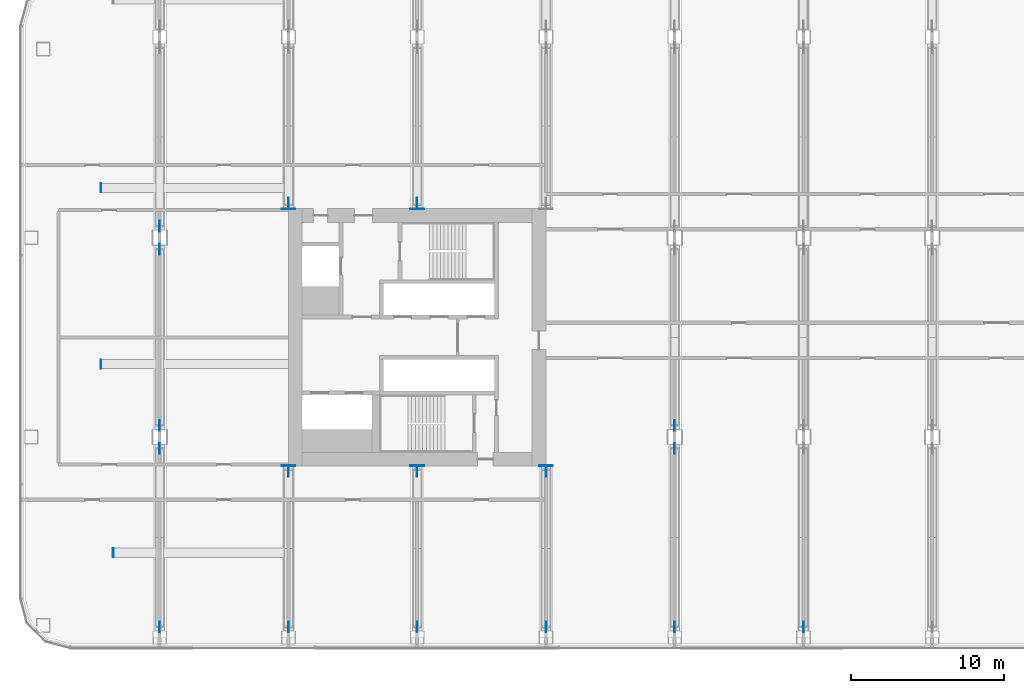
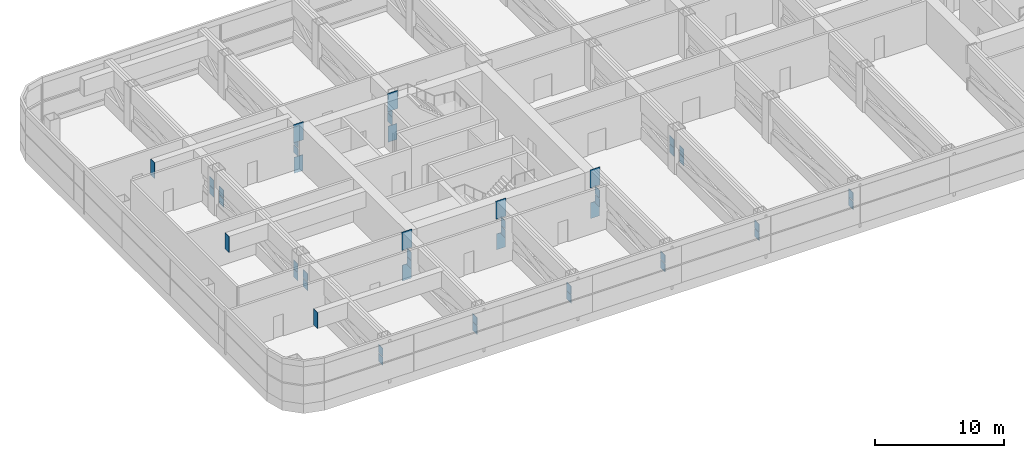
# One storey, part 21 of 30: 47 discrete accessories.
"""IFC4 building model written with IfcOpenShell, lengths in metres."""

from ifc_helpers import new_model, si_unit, direction, frame, origin, origin_2d, place, context, subcontext, project, spatial, rectangle, extrude, material, material_profile, profile_set, type_object, element, save


model = new_model("IFC4")

# Units and contexts
model_context = context("Model", 3, precision=1e-05, world=origin(), true_north=direction((0.0, 1.0)))
body_context = subcontext(model_context, "Body", "Model", "MODEL_VIEW")
ifc_project = project(units=[si_unit("LENGTHUNIT", "METRE"), si_unit("AREAUNIT", "SQUARE_METRE"), si_unit("VOLUMEUNIT", "CUBIC_METRE"), si_unit("PLANEANGLEUNIT", "RADIAN"), si_unit("MASSUNIT", "GRAM", prefix="KILO")], contexts=[model_context])

# Site, building, storey
site_placement = place(None, origin())
site = spatial("IfcSite", under=ifc_project, at=site_placement, CompositionType="ELEMENT")
building_placement = place(site_placement, origin())
building = spatial("IfcBuilding", under=site, at=building_placement, Name="Hakoniwa Tower and Hamabe Station Hall", CompositionType="ELEMENT")
storey_placement = place(building_placement, frame((0.0, 0.0, 64.60009765625)))
storey = spatial("IfcBuildingStorey", under=building, at=storey_placement, Name="L18", CompositionType="ELEMENT", Elevation=64.60009765625)

# Discrete accessories
ifc_material_1 = material(Name="Steel SN490C", Category="steel")
ifc_material_profile_1 = material_profile(ifc_material_1, rectangle(XDim=0.800048828125, YDim=1.5, at=origin_2d()), Name="CAST-IN PLATE BX-1300x600x50")
ifc_profile_set_1 = profile_set([ifc_material_profile_1], Name="Steel SN490C")
discrete_accessory_type_1 = type_object("IfcDiscreteAccessoryType", Name="CAST-IN PLATE BX-1300x600x50", PredefinedType="ANCHORPLATE", material=ifc_profile_set_1)
for number, where, z_axis, x_axis, name in (
    (1, (-33.60009765625, -8.360107421875, 0.349853515625), (0.0, -1.0, 0.0), (1.0, 0.0, 0.0), "Cast-in plate T1-06-BC01"),
    (2, (-33.60009765625, 8.360107421875, 0.349853515625), (0.0, 1.0, 0.0), (-1.0, 0.0, 0.0), "Cast-in plate T1-07-BC01"),
    (3, (-25.199951171875, -8.360107421875, 0.349853515625), (0.0, -1.0, 0.0), (1.0, 0.0, 0.0), "Cast-in plate T1-08-BC01"),
    (4, (-25.199951171875, 8.360107421875, 0.349853515625), (0.0, 1.0, 0.0), (-1.0, 0.0, 0.0), "Cast-in plate T1-09-BC01"),
    (5, (-16.800048828125, -8.360107421875, 0.349853515625), (0.0, -1.0, 0.0), (1.0, 0.0, 0.0), "Cast-in plate T1-10-BC01"),
):
    element("IfcDiscreteAccessory", number, at=place(storey_placement, frame(where, z_axis=z_axis, x_axis=x_axis)), inside=storey, type_object=discrete_accessory_type_1, Name=name, PredefinedType="ANCHORPLATE", context=body_context, shape_type="SweptSolid", body=[
        extrude(rectangle(XDim=0.800048828125, YDim=1.5, at=origin_2d()), origin(), (0.0, 0.0, 1.0), 0.039794921875),
    ])
ifc_material_2 = material(Name="Steel SN490C", Category="steel")
ifc_material_profile_2 = material_profile(ifc_material_2, rectangle(XDim=0.89990234375, YDim=1.699951171875, at=origin_2d()), Name="CAST-IN PLATE BX-1500x700x55")
ifc_profile_set_2 = profile_set([ifc_material_profile_2], Name="Steel SN490C")
discrete_accessory_type_2 = type_object("IfcDiscreteAccessoryType", Name="CAST-IN PLATE BX-1500x700x55", PredefinedType="ANCHORPLATE", material=ifc_profile_set_2)
for number, where, z_axis, x_axis, name in (
    (6, (-33.60009765625, -8.35498046875, 3.349853515625), (0.0, -1.0, 0.0), (1.0, 0.0, 0.0), "Cast-in plate T1-06-TC01"),
    (7, (-33.60009765625, 8.35498046875, 3.349853515625), (0.0, 1.0, 0.0), (-1.0, 0.0, 0.0), "Cast-in plate T1-07-TC01"),
    (8, (-25.199951171875, -8.35498046875, 3.349853515625), (0.0, -1.0, 0.0), (1.0, 0.0, 0.0), "Cast-in plate T1-08-TC01"),
    (9, (-25.199951171875, 8.35498046875, 3.349853515625), (0.0, 1.0, 0.0), (-1.0, 0.0, 0.0), "Cast-in plate T1-09-TC01"),
    (10, (-16.800048828125, -8.35498046875, 3.349853515625), (0.0, -1.0, 0.0), (1.0, 0.0, 0.0), "Cast-in plate T1-10-TC01"),
):
    element("IfcDiscreteAccessory", number, at=place(storey_placement, frame(where, z_axis=z_axis, x_axis=x_axis)), inside=storey, type_object=discrete_accessory_type_2, Name=name, PredefinedType="ANCHORPLATE", context=body_context, shape_type="SweptSolid", body=[
        extrude(rectangle(XDim=0.89990234375, YDim=1.699951171875, at=origin_2d()), origin(), (0.0, 0.0, 1.0), 0.044921875),
    ])
ifc_material_3 = material(Name="Steel SN490C", Category="steel")
ifc_material_profile_3 = material_profile(ifc_material_3, rectangle(XDim=0.60009765625, YDim=1.5, at=origin_2d()), Name="END CAP PLATE BX-1500x600x55")
ifc_profile_set_3 = profile_set([ifc_material_profile_3], Name="Steel SN490C")
discrete_accessory_type_3 = type_object("IfcDiscreteAccessoryType", Name="END CAP PLATE BX-1500x600x55", PredefinedType="USERDEFINED", material=ifc_profile_set_3)
discrete_accessory_placement = place(storey_placement, frame((-45.048095703125, -14.052978515625, 3.349853515625), z_axis=(1.0, 0.0, 0.0), x_axis=(0.0, 1.0, 0.0)))
element("IfcDiscreteAccessory", 11, at=discrete_accessory_placement, inside=storey, type_object=discrete_accessory_type_3, Name="End cap plate L18-XG1", ObjectType="END CAP PLATE", PredefinedType="USERDEFINED", context=body_context, shape_type="SweptSolid", body=[
    extrude(rectangle(XDim=0.60009765625, YDim=1.5, at=origin_2d()), origin(), (0.0, 0.0, 1.0), 0.045166015625),
])
for number, where, z_axis, x_axis, name in (
    (12, (-45.844970703125, -1.75, 3.349853515625), (1.0, 0.0, 0.0), (0.0, 1.0, 0.0), "End cap plate L18-XG3"),
    (13, (-45.844970703125, 9.75, 3.349853515625), (1.0, 0.0, 0.0), (0.0, 1.0, 0.0), "End cap plate L18-XG5"),
):
    element("IfcDiscreteAccessory", number, at=place(storey_placement, frame(where, z_axis=z_axis, x_axis=x_axis)), inside=storey, type_object=discrete_accessory_type_3, Name=name, ObjectType="END CAP PLATE", PredefinedType="USERDEFINED", context=body_context, shape_type="SweptSolid", body=[
        extrude(rectangle(XDim=0.60009765625, YDim=1.5, at=origin_2d()), origin(), (0.0, 0.0, 1.0), 0.044921875),
    ])
ifc_material_4 = material(Name="Steel SN490C", Category="steel")
ifc_material_profile_4 = material_profile(ifc_material_4, rectangle(XDim=0.699951171875, YDim=0.77001953125, at=origin_2d()), Name="GUSSET PLATE BX-700x500x32")
ifc_profile_set_4 = profile_set([ifc_material_profile_4], Name="Steel SN490C")
discrete_accessory_type_4 = type_object("IfcDiscreteAccessoryType", Name="GUSSET PLATE BX-700x500x32", PredefinedType="USERDEFINED", material=ifc_profile_set_4)
for number, where, z_axis, x_axis, name in (
    (14, (-41.985107421875, -18.89990234375, 1.385009765625), (-1.0, 0.0, 0.0), (0.0, -1.0, 0.0), "Gusset plate T1-005-D01A"),
    (15, (-41.985107421875, -7.25, 2.21484375), (-1.0, 0.0, 0.0), (0.0, -1.0, 0.0), "Gusset plate T1-005-D01A"),
    (16, (-41.985107421875, -18.89990234375, 2.21484375), (-1.0, 0.0, 0.0), (0.0, -1.0, 0.0), "Gusset plate T1-005-D01B"),
    (17, (-41.985107421875, -7.25, 1.385009765625), (-1.0, 0.0, 0.0), (0.0, -1.0, 0.0), "Gusset plate T1-005-D01B"),
    (18, (-41.985107421875, -5.75, 1.385009765625), (-1.0, 0.0, 0.0), (0.0, -1.0, 0.0), "Gusset plate T1-005-D02A"),
    (19, (-41.985107421875, 5.75, 2.21484375), (-1.0, 0.0, 0.0), (0.0, -1.0, 0.0), "Gusset plate T1-005-D02A"),
    (20, (-41.985107421875, -5.75, 2.21484375), (-1.0, 0.0, 0.0), (0.0, -1.0, 0.0), "Gusset plate T1-005-D02B"),
    (21, (-41.985107421875, 5.75, 1.385009765625), (-1.0, 0.0, 0.0), (0.0, -1.0, 0.0), "Gusset plate T1-005-D02B"),
    (22, (-41.985107421875, 7.25, 1.385009765625), (-1.0, 0.0, 0.0), (0.0, -1.0, 0.0), "Gusset plate T1-005-D03A"),
    (23, (-41.985107421875, 7.25, 2.21484375), (-1.0, 0.0, 0.0), (0.0, -1.0, 0.0), "Gusset plate T1-005-D03B"),
):
    element("IfcDiscreteAccessory", number, at=place(storey_placement, frame(where, z_axis=z_axis, x_axis=x_axis)), inside=storey, type_object=discrete_accessory_type_4, Name=name, ObjectType="GUSSET PLATE", PredefinedType="USERDEFINED", context=body_context, shape_type="SweptSolid", body=[
        extrude(rectangle(XDim=0.699951171875, YDim=0.77001953125, at=origin_2d()), origin(), (0.0, 0.0, 1.0), 0.02978515625),
    ])
for number, where, z_axis, x_axis, name in (
    (24, (-33.5849609375, -18.89990234375, 1.385009765625), (-1.0, 0.0, 0.0), (0.0, -1.0, 0.0), "Gusset plate T1-006-D01A"),
    (25, (-33.5849609375, -8.75, 2.21484375), (-1.0, 0.0, 0.0), (0.0, -1.0, 0.0), "Gusset plate T1-006-D01A"),
    (26, (-33.5849609375, -18.89990234375, 2.21484375), (-1.0, 0.0, 0.0), (0.0, -1.0, 0.0), "Gusset plate T1-006-D01B"),
    (27, (-33.5849609375, -8.75, 1.385009765625), (-1.0, 0.0, 0.0), (0.0, -1.0, 0.0), "Gusset plate T1-006-D01B"),
    (28, (-33.5849609375, 8.75, 1.385009765625), (-1.0, 0.0, 0.0), (0.0, -1.0, 0.0), "Gusset plate T1-007-D01A"),
    (29, (-33.5849609375, 8.75, 2.21484375), (-1.0, 0.0, 0.0), (0.0, -1.0, 0.0), "Gusset plate T1-007-D01B"),
    (30, (-25.18505859375, -18.89990234375, 1.385009765625), (-1.0, 0.0, 0.0), (0.0, -1.0, 0.0), "Gusset plate T1-008-D01A"),
    (31, (-25.18505859375, -8.75, 2.21484375), (-1.0, 0.0, 0.0), (0.0, -1.0, 0.0), "Gusset plate T1-008-D01A"),
    (32, (-25.18505859375, -18.89990234375, 2.21484375), (-1.0, 0.0, 0.0), (0.0, -1.0, 0.0), "Gusset plate T1-008-D01B"),
    (33, (-25.18505859375, -8.75, 1.385009765625), (-1.0, 0.0, 0.0), (0.0, -1.0, 0.0), "Gusset plate T1-008-D01B"),
    (34, (-25.18505859375, 8.75, 1.385009765625), (-1.0, 0.0, 0.0), (0.0, -1.0, 0.0), "Gusset plate T1-009-D01A"),
    (35, (-25.18505859375, 8.75, 2.21484375), (-1.0, 0.0, 0.0), (0.0, -1.0, 0.0), "Gusset plate T1-009-D01B"),
    (36, (-16.784912109375, -18.89990234375, 1.385009765625), (-1.0, 0.0, 0.0), (0.0, -1.0, 0.0), "Gusset plate T1-010-D01A"),
    (37, (-16.784912109375, -8.75, 2.21484375), (-1.0, 0.0, 0.0), (0.0, -1.0, 0.0), "Gusset plate T1-010-D01A"),
    (38, (-16.784912109375, -18.89990234375, 2.21484375), (-1.0, 0.0, 0.0), (0.0, -1.0, 0.0), "Gusset plate T1-010-D01B"),
    (39, (-16.784912109375, -8.75, 1.385009765625), (-1.0, 0.0, 0.0), (0.0, -1.0, 0.0), "Gusset plate T1-010-D01B"),
    (40, (-8.385009765625, -18.89990234375, 1.385009765625), (-1.0, 0.0, 0.0), (0.0, -1.0, 0.0), "Gusset plate T1-012-D01A"),
    (41, (-8.385009765625, -7.25, 2.21484375), (-1.0, 0.0, 0.0), (0.0, -1.0, 0.0), "Gusset plate T1-012-D01A"),
    (42, (-8.385009765625, -18.89990234375, 2.21484375), (-1.0, 0.0, 0.0), (0.0, -1.0, 0.0), "Gusset plate T1-012-D01B"),
    (43, (-8.385009765625, -7.25, 1.385009765625), (-1.0, 0.0, 0.0), (0.0, -1.0, 0.0), "Gusset plate T1-012-D01B"),
    (44, (-8.385009765625, -5.75, 1.385009765625), (-1.0, 0.0, 0.0), (0.0, -1.0, 0.0), "Gusset plate T1-012-D02A"),
    (45, (-8.385009765625, -5.75, 2.21484375), (-1.0, 0.0, 0.0), (0.0, -1.0, 0.0), "Gusset plate T1-012-D02B"),
):
    element("IfcDiscreteAccessory", number, at=place(storey_placement, frame(where, z_axis=z_axis, x_axis=x_axis)), inside=storey, type_object=discrete_accessory_type_4, Name=name, ObjectType="GUSSET PLATE", PredefinedType="USERDEFINED", context=body_context, shape_type="SweptSolid", body=[
        extrude(rectangle(XDim=0.699951171875, YDim=0.77001953125, at=origin_2d()), origin(), (0.0, 0.0, 1.0), 0.030029296875),
    ])
for number, where, z_axis, x_axis, name in (
    (46, (0.014892578125, -18.89990234375, 1.385009765625), (-1.0, 0.0, 0.0), (0.0, -1.0, 0.0), "Gusset plate T1-013-D01A"),
    (47, (0.014892578125, -18.89990234375, 2.21484375), (-1.0, 0.0, 0.0), (0.0, -1.0, 0.0), "Gusset plate T1-013-D01B"),
):
    element("IfcDiscreteAccessory", number, at=place(storey_placement, frame(where, z_axis=z_axis, x_axis=x_axis)), inside=storey, type_object=discrete_accessory_type_4, Name=name, ObjectType="GUSSET PLATE", PredefinedType="USERDEFINED", context=body_context, shape_type="SweptSolid", body=[
        extrude(rectangle(XDim=0.699951171875, YDim=0.77001953125, at=origin_2d()), origin(), (0.0, 0.0, 1.0), 0.02978515625),
    ])

save(model, "model.ifc")
